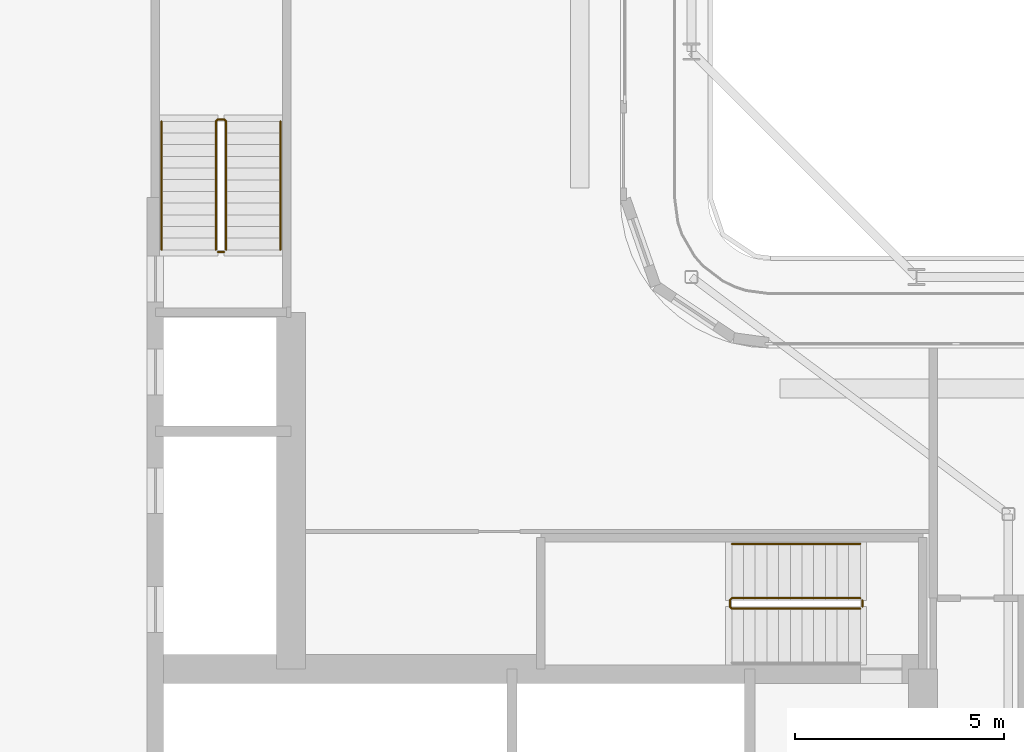
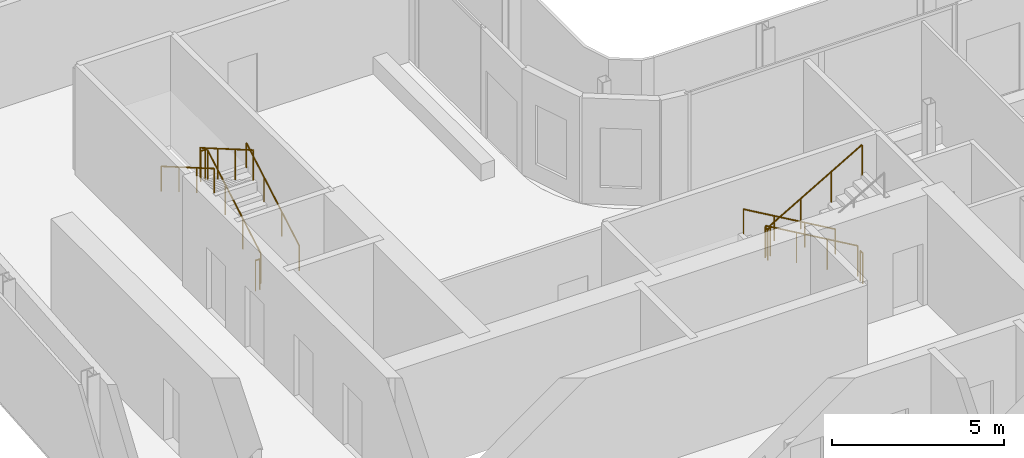
# One storey, part 17 of 22: 7 railings.
"""IFC4 building model written with IfcOpenShell, lengths in metres."""

from ifc_helpers import new_model, si_unit, direction, frame, origin, origin_2d, place, context, subcontext, project, spatial, circle, extrude, material, type_object, element, save


model = new_model("IFC4")

# Units and contexts
model_context = context("Model", 3, precision=1e-05, world=origin(), true_north=direction((0.0, 1.0)))
body_context = subcontext(model_context, "Body", "Model", "MODEL_VIEW")
ifc_project = project(units=[si_unit("LENGTHUNIT", "METRE"), si_unit("AREAUNIT", "SQUARE_METRE"), si_unit("VOLUMEUNIT", "CUBIC_METRE"), si_unit("PLANEANGLEUNIT", "RADIAN"), si_unit("MASSUNIT", "GRAM", prefix="KILO")], contexts=[model_context])

# Site, building, storey
site_placement = place(None, origin())
site = spatial("IfcSite", under=ifc_project, at=site_placement, CompositionType="ELEMENT")
building_placement = place(site_placement, origin())
building = spatial("IfcBuilding", under=site, at=building_placement, Name="Kheshtan School and Residences Tower", CompositionType="ELEMENT")
storey_placement = place(building_placement, frame((0.0, 0.0, 263.0)))
storey = spatial("IfcBuildingStorey", under=building, at=storey_placement, Name="L62", CompositionType="ELEMENT", Elevation=263.0)

# Railings
ifc_material_1 = material(Name="Stainless steel balustrade", Category="steel")
railing_type_1 = type_object("IfcRailingType", Name="Stair guard 1100", PredefinedType="GUARDRAIL", material=ifc_material_1)
railing_1_placement = place(storey_placement, frame((51.64990234375, 37.89990234375, 0.16259765625)))
element("IfcRailing", 1, at=railing_1_placement, inside=storey, type_object=railing_type_1, Name="L62 ST1 stair guard 1", PredefinedType="GUARDRAIL", context=body_context, shape_type="SweptSolid", body=[
    extrude(circle(Radius=0.02392578125, at=origin_2d()), frame((0.0, 0.0, 1.076171875), z_axis=(-0.864903211148, 0.0, 0.501938676878), x_axis=(0.0, -1.0, 0.0)), (0.0, 0.0, 1.0), 3.560791015625),
    extrude(circle(Radius=0.02392578125, at=origin_2d()), frame((-3.079833984375, 0.0, 2.86328125), z_axis=(-0.708833529934, -0.705375805398, 0.0), x_axis=(0.705375805398, -0.708833529934, 0.0)), (0.0, 0.0, 1.0), 0.070556640625),
    extrude(circle(Radius=0.02392578125, at=origin_2d()), frame((-3.1298828125, -0.0498046875, 2.86328125), z_axis=(0.0, -1.0, 0.0), x_axis=(1.0, 0.0, 0.0)), (0.0, 0.0, 1.0), 0.150146484375),
    extrude(circle(Radius=0.02392578125, at=origin_2d()), frame((-3.1298828125, -0.199951171875, 2.86328125), z_axis=(0.282227285176, -0.282227285176, 0.916894497205), x_axis=(0.707106781187, 0.707106781187, 0.0)), (0.0, 0.0, 1.0), 0.17724609375),
    extrude(circle(Radius=0.02392578125, at=origin_2d()), frame((-3.079833984375, -0.25, 3.02587890625), z_axis=(0.864903211148, 0.0, 0.501938676878), x_axis=(0.0, 1.0, 0.0)), (0.0, 0.0, 1.0), 3.560791015625),
    extrude(circle(Radius=0.02099609375, at=origin_2d()), origin(), (0.0, 0.0, 1.0), 1.052001953125),
    extrude(circle(Radius=0.02099609375, at=origin_2d()), frame((-1.026611328125, 0.0, 0.595703125)), (0.0, 0.0, 1.0), 1.052001953125),
    extrude(circle(Radius=0.02099609375, at=origin_2d()), frame((-2.05322265625, 0.0, 1.191650390625)), (0.0, 0.0, 1.0), 1.052001953125),
    extrude(circle(Radius=0.02099609375, at=origin_2d()), frame((-3.079833984375, 0.0, 1.787353515625)), (0.0, 0.0, 1.0), 1.052001953125),
    extrude(circle(Radius=0.02099609375, at=origin_2d()), frame((-3.1298828125, -0.0498046875, 1.787353515625)), (0.0, 0.0, 1.0), 1.052001953125),
    extrude(circle(Radius=0.02099609375, at=origin_2d()), frame((-3.1298828125, -0.199951171875, 1.787353515625)), (0.0, 0.0, 1.0), 1.052001953125),
    extrude(circle(Radius=0.02099609375, at=origin_2d()), frame((-3.079833984375, -0.25, 1.949951171875)), (0.0, 0.0, 1.0), 1.052001953125),
    extrude(circle(Radius=0.02099609375, at=origin_2d()), frame((-2.05322265625, -0.25, 2.545654296875)), (0.0, 0.0, 1.0), 1.052001953125),
    extrude(circle(Radius=0.02099609375, at=origin_2d()), frame((-1.026611328125, -0.25, 3.1416015625)), (0.0, 0.0, 1.0), 1.052001953125),
    extrude(circle(Radius=0.02099609375, at=origin_2d()), frame((0.0, -0.25, 3.7373046875)), (0.0, 0.0, 1.0), 1.052001953125),
])
railing_2_placement = place(storey_placement, frame((51.699951171875, 37.85009765625, 0.0)))
element("IfcRailing", 2, at=railing_2_placement, inside=storey, type_object=railing_type_1, Name="L62 ST1 stair guard 2", PredefinedType="GUARDRAIL", context=body_context, shape_type="SweptSolid", body=[
    extrude(circle(Radius=0.02392578125, at=origin_2d()), frame((0.0, 0.0, 1.076171875), z_axis=(0.0, -1.0, 0.0), x_axis=(1.0, 0.0, 0.0)), (0.0, 0.0, 1.0), 0.150146484375),
    extrude(circle(Radius=0.02099609375, at=origin_2d()), origin(), (0.0, 0.0, 1.0), 1.052001953125),
    extrude(circle(Radius=0.02099609375, at=origin_2d()), frame((0.0, -0.150146484375, 0.0)), (0.0, 0.0, 1.0), 1.052001953125),
])
railing_3_placement = place(storey_placement, frame((36.449951171875, 46.25, 0.16259765625)))
element("IfcRailing", 3, at=railing_3_placement, inside=storey, type_object=railing_type_1, Name="L62 ST2 stair guard 1", PredefinedType="GUARDRAIL", context=body_context, shape_type="SweptSolid", body=[
    extrude(circle(Radius=0.02392578125, at=origin_2d()), frame((0.0, 0.0, 1.076171875), z_axis=(0.0, 0.864920483161, 0.501908913857), x_axis=(-1.0, 0.0, 0.0)), (0.0, 0.0, 1.0), 3.56103515625),
    extrude(circle(Radius=0.02392578125, at=origin_2d()), frame((0.0, 3.080078125, 2.86328125), z_axis=(-0.708833529934, 0.705375805398, 0.0), x_axis=(-0.705375805398, -0.708833529934, 0.0)), (0.0, 0.0, 1.0), 0.070556640625),
    extrude(circle(Radius=0.02392578125, at=origin_2d()), frame((-0.050048828125, 3.1298828125, 2.86328125), z_axis=(-1.0, 0.0, 0.0), x_axis=(0.0, -1.0, 0.0)), (0.0, 0.0, 1.0), 0.14990234375),
    extrude(circle(Radius=0.02392578125, at=origin_2d()), frame((-0.199951171875, 3.1298828125, 2.86328125), z_axis=(-0.282336740067, -0.280959487676, 0.917250092119), x_axis=(0.705375805398, -0.708833529934, 0.0)), (0.0, 0.0, 1.0), 0.17724609375),
    extrude(circle(Radius=0.02392578125, at=origin_2d()), frame((-0.25, 3.080078125, 3.02587890625), z_axis=(0.0, -0.864920483161, 0.501908913857), x_axis=(1.0, 0.0, 0.0)), (0.0, 0.0, 1.0), 3.56103515625),
    extrude(circle(Radius=0.02099609375, at=origin_2d()), origin(), (0.0, 0.0, 1.0), 1.052001953125),
    extrude(circle(Radius=0.02099609375, at=origin_2d()), frame((0.0, 1.026611328125, 0.595703125)), (0.0, 0.0, 1.0), 1.052001953125),
    extrude(circle(Radius=0.02099609375, at=origin_2d()), frame((0.0, 2.053466796875, 1.191650390625)), (0.0, 0.0, 1.0), 1.052001953125),
    extrude(circle(Radius=0.02099609375, at=origin_2d()), frame((0.0, 3.080078125, 1.787353515625)), (0.0, 0.0, 1.0), 1.052001953125),
    extrude(circle(Radius=0.02099609375, at=origin_2d()), frame((-0.050048828125, 3.1298828125, 1.787353515625)), (0.0, 0.0, 1.0), 1.052001953125),
    extrude(circle(Radius=0.02099609375, at=origin_2d()), frame((-0.199951171875, 3.1298828125, 1.787353515625)), (0.0, 0.0, 1.0), 1.052001953125),
    extrude(circle(Radius=0.02099609375, at=origin_2d()), frame((-0.25, 3.080078125, 1.949951171875)), (0.0, 0.0, 1.0), 1.052001953125),
    extrude(circle(Radius=0.02099609375, at=origin_2d()), frame((-0.25, 2.053466796875, 2.545654296875)), (0.0, 0.0, 1.0), 1.052001953125),
    extrude(circle(Radius=0.02099609375, at=origin_2d()), frame((-0.25, 1.026611328125, 3.1416015625)), (0.0, 0.0, 1.0), 1.052001953125),
    extrude(circle(Radius=0.02099609375, at=origin_2d()), frame((-0.25, 0.0, 3.7373046875)), (0.0, 0.0, 1.0), 1.052001953125),
])
railing_4_placement = place(storey_placement, frame((36.39990234375, 46.199951171875, 0.0)))
element("IfcRailing", 4, at=railing_4_placement, inside=storey, type_object=railing_type_1, Name="L62 ST2 stair guard 2", PredefinedType="GUARDRAIL", context=body_context, shape_type="SweptSolid", body=[
    extrude(circle(Radius=0.02392578125, at=origin_2d()), frame((0.0, 0.0, 1.076171875), z_axis=(-1.0, 0.0, 0.0), x_axis=(0.0, -1.0, 0.0)), (0.0, 0.0, 1.0), 0.14990234375),
    extrude(circle(Radius=0.02099609375, at=origin_2d()), origin(), (0.0, 0.0, 1.0), 1.052001953125),
    extrude(circle(Radius=0.02099609375, at=origin_2d()), frame((-0.14990234375, 0.0, 0.0)), (0.0, 0.0, 1.0), 1.052001953125),
])
ifc_material_2 = material(Name="Stainless steel handrail", Category="steel")
railing_type_2 = type_object("IfcRailingType", Name="Stair handrail 900", PredefinedType="HANDRAIL", material=ifc_material_2)
railing_5_placement = place(storey_placement, frame((51.64990234375, 39.199951171875, 0.16259765625)))
element("IfcRailing", 5, at=railing_5_placement, inside=storey, type_object=railing_type_2, Name="L62 ST1 stair handrail 1", PredefinedType="HANDRAIL", context=body_context, shape_type="SweptSolid", body=[
    extrude(circle(Radius=0.02392578125, at=origin_2d()), frame((0.0, 0.0, 0.8759765625), z_axis=(-0.864903211148, 0.0, 0.501938676878), x_axis=(0.0, -1.0, 0.0)), (0.0, 0.0, 1.0), 3.560791015625),
    extrude(circle(Radius=0.02099609375, at=origin_2d()), origin(), (0.0, 0.0, 1.0), 0.851806640625),
    extrude(circle(Radius=0.02099609375, at=origin_2d()), frame((-1.026611328125, 0.0, 0.595703125)), (0.0, 0.0, 1.0), 0.851806640625),
    extrude(circle(Radius=0.02099609375, at=origin_2d()), frame((-2.05322265625, 0.0, 1.191650390625)), (0.0, 0.0, 1.0), 0.851806640625),
    extrude(circle(Radius=0.02099609375, at=origin_2d()), frame((-3.079833984375, 0.0, 1.787353515625)), (0.0, 0.0, 1.0), 0.851806640625),
])
railing_6_placement = place(storey_placement, frame((37.75, 46.25, 0.16259765625)))
element("IfcRailing", 6, at=railing_6_placement, inside=storey, type_object=railing_type_2, Name="L62 ST2 stair handrail 1", PredefinedType="HANDRAIL", context=body_context, shape_type="SweptSolid", body=[
    extrude(circle(Radius=0.02392578125, at=origin_2d()), frame((0.0, 0.0, 0.8759765625), z_axis=(0.0, 0.864920483161, 0.501908913857), x_axis=(-1.0, 0.0, 0.0)), (0.0, 0.0, 1.0), 3.56103515625),
    extrude(circle(Radius=0.02099609375, at=origin_2d()), origin(), (0.0, 0.0, 1.0), 0.851806640625),
    extrude(circle(Radius=0.02099609375, at=origin_2d()), frame((0.0, 1.026611328125, 0.595703125)), (0.0, 0.0, 1.0), 0.851806640625),
    extrude(circle(Radius=0.02099609375, at=origin_2d()), frame((0.0, 2.053466796875, 1.191650390625)), (0.0, 0.0, 1.0), 0.851806640625),
    extrude(circle(Radius=0.02099609375, at=origin_2d()), frame((0.0, 3.080078125, 1.787353515625)), (0.0, 0.0, 1.0), 0.851806640625),
])
railing_7_placement = place(storey_placement, frame((34.89990234375, 49.330078125, 2.112548828125)))
element("IfcRailing", 7, at=railing_7_placement, inside=storey, type_object=railing_type_2, Name="L62 ST2 stair handrail 2", PredefinedType="HANDRAIL", context=body_context, shape_type="SweptSolid", body=[
    extrude(circle(Radius=0.02392578125, at=origin_2d()), frame((0.0, 0.0, 0.8759765625), z_axis=(0.0, -0.864920483161, 0.501908913857), x_axis=(1.0, 0.0, 0.0)), (0.0, 0.0, 1.0), 3.56103515625),
    extrude(circle(Radius=0.02099609375, at=origin_2d()), origin(), (0.0, 0.0, 1.0), 0.851806640625),
    extrude(circle(Radius=0.02099609375, at=origin_2d()), frame((0.0, -1.026611328125, 0.595703125)), (0.0, 0.0, 1.0), 0.851806640625),
    extrude(circle(Radius=0.02099609375, at=origin_2d()), frame((0.0, -2.053466796875, 1.191650390625)), (0.0, 0.0, 1.0), 0.851806640625),
    extrude(circle(Radius=0.02099609375, at=origin_2d()), frame((0.0, -3.080078125, 1.787353515625)), (0.0, 0.0, 1.0), 0.851806640625),
])

save(model, "model.ifc")
